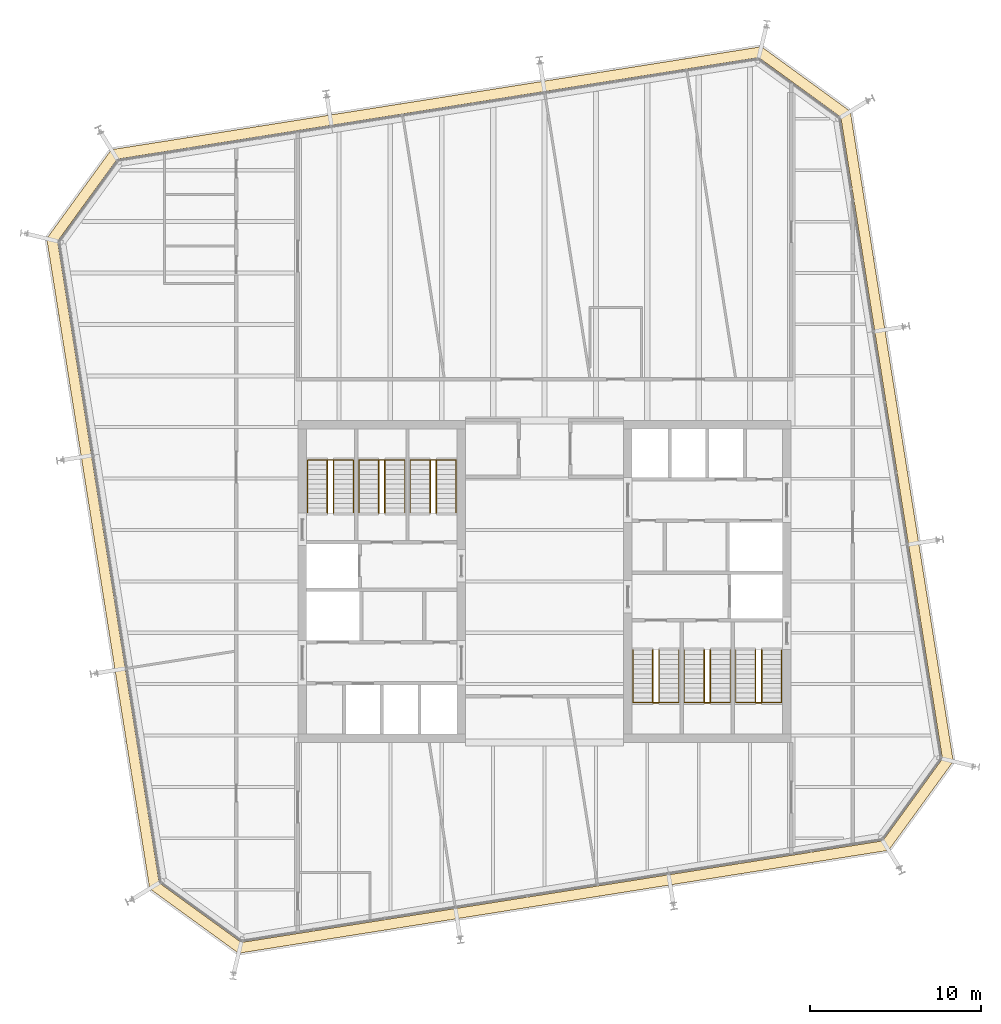
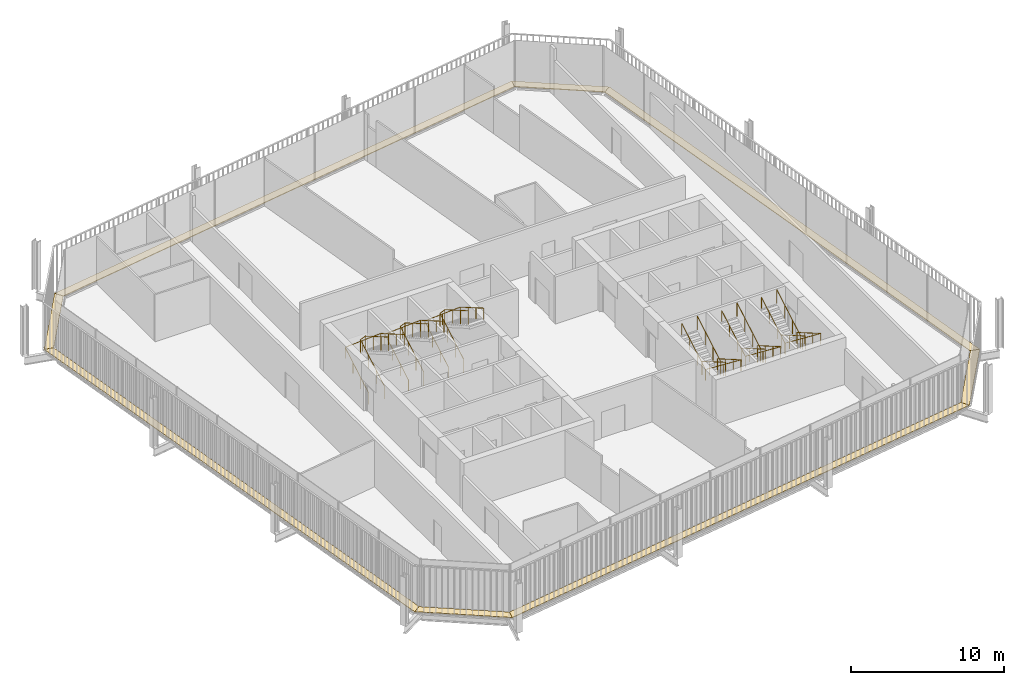
# One storey, part 20 of 20: 12 railings, 8 coverings.
"""IFC4 building model written with IfcOpenShell, lengths in metres."""

from ifc_helpers import new_model, si_unit, direction, frame, origin, origin_2d, place, context, subcontext, project, spatial, polyline, circle, outline, extrude, material, layer, layer_set, type_object, element, save


model = new_model("IFC4")

# Units and contexts
model_context = context("Model", 3, precision=1e-05, world=origin(), true_north=direction((0.0, 1.0)))
body_context = subcontext(model_context, "Body", "Model", "MODEL_VIEW")
ifc_project = project(units=[si_unit("LENGTHUNIT", "METRE"), si_unit("AREAUNIT", "SQUARE_METRE"), si_unit("VOLUMEUNIT", "CUBIC_METRE"), si_unit("PLANEANGLEUNIT", "RADIAN"), si_unit("MASSUNIT", "GRAM", prefix="KILO")], contexts=[model_context])

# Site, building, storey
site_placement = place(None, origin())
site = spatial("IfcSite", under=ifc_project, at=site_placement, CompositionType="ELEMENT")
building_placement = place(site_placement, origin())
building = spatial("IfcBuilding", under=site, at=building_placement, Name="Millrace Tower", CompositionType="ELEMENT")
storey_placement = place(building_placement, frame((0.0, 0.0, 251.300048828125)))
storey = spatial("IfcBuildingStorey", under=building, at=storey_placement, Name="L57", CompositionType="ELEMENT", Elevation=251.300048828125)

# Coverings
ifc_material_1 = material(Name="Steel ASTM A36", Category="steel")
ifc_layer = layer(ifc_material_1, 0.050048828125)
ifc_layer_set = layer_set([ifc_layer], Name="Steel ASTM A36")
covering_type = type_object("IfcCoveringType", Name="CAVITY CATWALK steel grating", PredefinedType="FLOORING", material=ifc_layer_set)
placement = place(storey_placement, frame((0.0, 0.0, 0.099853515625)))
element("IfcCovering", 1, at=placement, inside=storey, type_object=covering_type, Name="Cavity catwalk grating D-F01 L57 1", PredefinedType="FLOORING", context=body_context, shape_type="SweptSolid", body=[
    extrude(outline(polyline([(-23.052490234375, -17.939453125), (-17.85888671875, -21.712890625), (-17.707275390625, -21.081298828125), (-22.49853515625, -17.60009765625), (-23.052490234375, -17.939453125)])), origin(), (0.0, 0.0, 1.0), 0.050048828125),
])
element("IfcCovering", 2, at=placement, inside=storey, type_object=covering_type, Name="Cavity catwalk grating D-F02 L57 1", PredefinedType="FLOORING", context=body_context, shape_type="SweptSolid", body=[
    extrude(outline(polyline([(-17.85888671875, -21.712890625), (20.08935546875, -15.702392578125), (19.750244140625, -15.148681640625), (-17.707275390625, -21.081298828125), (-17.85888671875, -21.712890625)])), origin(), (0.0, 0.0, 1.0), 0.050048828125),
])
element("IfcCovering", 3, at=placement, inside=storey, type_object=covering_type, Name="Cavity catwalk grating D-F03 L57 1", PredefinedType="FLOORING", context=body_context, shape_type="SweptSolid", body=[
    extrude(outline(polyline([(20.08935546875, -15.702392578125), (23.86279296875, -10.5087890625), (23.231201171875, -10.357177734375), (19.750244140625, -15.148681640625), (20.08935546875, -15.702392578125)])), origin(), (0.0, 0.0, 1.0), 0.050048828125),
])
element("IfcCovering", 4, at=placement, inside=storey, type_object=covering_type, Name="Cavity catwalk grating D-F04 L57 1", PredefinedType="FLOORING", context=body_context, shape_type="SweptSolid", body=[
    extrude(outline(polyline([(23.86279296875, -10.5087890625), (17.852294921875, 27.439453125), (17.298583984375, 27.10009765625), (23.231201171875, -10.357177734375), (23.86279296875, -10.5087890625)])), origin(), (0.0, 0.0, 1.0), 0.050048828125),
])
element("IfcCovering", 5, at=placement, inside=storey, type_object=covering_type, Name="Cavity catwalk grating D-F05 L57 1", PredefinedType="FLOORING", context=body_context, shape_type="SweptSolid", body=[
    extrude(outline(polyline([(17.852294921875, 27.439453125), (12.658935546875, 31.212890625), (12.50732421875, 30.581298828125), (17.298583984375, 27.10009765625), (17.852294921875, 27.439453125)])), origin(), (0.0, 0.0, 1.0), 0.050048828125),
])
element("IfcCovering", 6, at=placement, inside=storey, type_object=covering_type, Name="Cavity catwalk grating D-F06 L57 1", PredefinedType="FLOORING", context=body_context, shape_type="SweptSolid", body=[
    extrude(outline(polyline([(12.658935546875, 31.212890625), (-25.28955078125, 25.202392578125), (-24.9501953125, 24.648681640625), (12.50732421875, 30.581298828125), (12.658935546875, 31.212890625)])), origin(), (0.0, 0.0, 1.0), 0.050048828125),
])
element("IfcCovering", 7, at=placement, inside=storey, type_object=covering_type, Name="Cavity catwalk grating D-F07 L57 1", PredefinedType="FLOORING", context=body_context, shape_type="SweptSolid", body=[
    extrude(outline(polyline([(-25.28955078125, 25.202392578125), (-29.062744140625, 20.0087890625), (-28.431396484375, 19.857177734375), (-24.9501953125, 24.648681640625), (-25.28955078125, 25.202392578125)])), origin(), (0.0, 0.0, 1.0), 0.050048828125),
])
element("IfcCovering", 8, at=placement, inside=storey, type_object=covering_type, Name="Cavity catwalk grating D-F08 L57 1", PredefinedType="FLOORING", context=body_context, shape_type="SweptSolid", body=[
    extrude(outline(polyline([(-29.062744140625, 20.0087890625), (-23.052490234375, -17.939453125), (-22.49853515625, -17.60009765625), (-28.431396484375, 19.857177734375), (-29.062744140625, 20.0087890625)])), origin(), (0.0, 0.0, 1.0), 0.050048828125),
])

# Railings
ifc_material_2 = material(Name="Stainless steel ASTM A240 type 316", Category="steel")
railing_type_1 = type_object("IfcRailingType", Name="Stair guard 1100", PredefinedType="GUARDRAIL", material=ifc_material_2)
for number, where, name in (
    (9, (-12.679931640625, 4.0, 0.162353515625), "Stair guard 1 W L57"),
    (10, (-9.679931640625, 4.0, 0.162353515625), "Stair guard 2 W L57"),
    (11, (-6.679931640625, 4.0, 0.162353515625), "Stair guard 3 W L57"),
):
    element("IfcRailing", number, at=place(storey_placement, frame(where)), inside=storey, type_object=railing_type_1, Name=name, PredefinedType="GUARDRAIL", context=body_context, shape_type="SweptSolid", body=[
        extrude(circle(Radius=0.02392578125, at=origin_2d()), frame((0.0, 0.0, 1.076171875), z_axis=(0.0, 0.864890721111, 0.501960198159), x_axis=(-1.0, 0.0, 0.0)), (0.0, 0.0, 1.0), 3.561279296875),
        extrude(circle(Radius=0.02392578125, at=origin_2d()), frame((0.0, 3.080078125, 2.86376953125), z_axis=(0.911295775139, 0.0, 0.411752365158), x_axis=(0.0, 1.0, 0.0)), (0.0, 0.0, 1.0), 0.394775390625),
        extrude(circle(Radius=0.02392578125, at=origin_2d()), frame((0.35986328125, 3.080078125, 3.0263671875), z_axis=(0.0, -0.864920483161, 0.501908913857), x_axis=(1.0, 0.0, 0.0)), (0.0, 0.0, 1.0), 3.56103515625),
        extrude(circle(Radius=0.02099609375, at=origin_2d()), origin(), (0.0, 0.0, 1.0), 1.052001953125),
        extrude(circle(Radius=0.02099609375, at=origin_2d()), frame((0.0, 1.026611328125, 0.595947265625)), (0.0, 0.0, 1.0), 1.052001953125),
        extrude(circle(Radius=0.02099609375, at=origin_2d()), frame((0.0, 2.053466796875, 1.191650390625)), (0.0, 0.0, 1.0), 1.052001953125),
        extrude(circle(Radius=0.02099609375, at=origin_2d()), frame((0.0, 3.080078125, 1.78759765625)), (0.0, 0.0, 1.0), 1.052001953125),
        extrude(circle(Radius=0.02099609375, at=origin_2d()), frame((0.35986328125, 3.080078125, 1.9501953125)), (0.0, 0.0, 1.0), 1.052001953125),
        extrude(circle(Radius=0.02099609375, at=origin_2d()), frame((0.35986328125, 2.053466796875, 2.5458984375)), (0.0, 0.0, 1.0), 1.052001953125),
        extrude(circle(Radius=0.02099609375, at=origin_2d()), frame((0.35986328125, 1.026611328125, 3.141845703125)), (0.0, 0.0, 1.0), 1.052001953125),
        extrude(circle(Radius=0.02099609375, at=origin_2d()), frame((0.35986328125, 0.0, 3.737548828125)), (0.0, 0.0, 1.0), 1.052001953125),
    ])
for number, where, name in (
    (12, (12.679931640625, -4.0, 0.162353515625), "Stair guard 1 E L57"),
    (13, (9.679931640625, -4.0, 0.162353515625), "Stair guard 2 E L57"),
    (14, (6.679931640625, -4.0, 0.162353515625), "Stair guard 3 E L57"),
):
    element("IfcRailing", number, at=place(storey_placement, frame(where)), inside=storey, type_object=railing_type_1, Name=name, PredefinedType="GUARDRAIL", context=body_context, shape_type="SweptSolid", body=[
        extrude(circle(Radius=0.02392578125, at=origin_2d()), frame((0.0, 0.0, 1.076171875), z_axis=(0.0, -0.864890721111, 0.501960198159), x_axis=(1.0, 0.0, 0.0)), (0.0, 0.0, 1.0), 3.561279296875),
        extrude(circle(Radius=0.02392578125, at=origin_2d()), frame((0.0, -3.080078125, 2.86376953125), z_axis=(-0.911295775139, 0.0, 0.411752365158), x_axis=(0.0, -1.0, 0.0)), (0.0, 0.0, 1.0), 0.394775390625),
        extrude(circle(Radius=0.02392578125, at=origin_2d()), frame((-0.35986328125, -3.080078125, 3.0263671875), z_axis=(0.0, 0.864920483161, 0.501908913857), x_axis=(-1.0, 0.0, 0.0)), (0.0, 0.0, 1.0), 3.56103515625),
        extrude(circle(Radius=0.02099609375, at=origin_2d()), origin(), (0.0, 0.0, 1.0), 1.052001953125),
        extrude(circle(Radius=0.02099609375, at=origin_2d()), frame((0.0, -1.026611328125, 0.595947265625)), (0.0, 0.0, 1.0), 1.052001953125),
        extrude(circle(Radius=0.02099609375, at=origin_2d()), frame((0.0, -2.053466796875, 1.191650390625)), (0.0, 0.0, 1.0), 1.052001953125),
        extrude(circle(Radius=0.02099609375, at=origin_2d()), frame((0.0, -3.080078125, 1.78759765625)), (0.0, 0.0, 1.0), 1.052001953125),
        extrude(circle(Radius=0.02099609375, at=origin_2d()), frame((-0.35986328125, -3.080078125, 1.9501953125)), (0.0, 0.0, 1.0), 1.052001953125),
        extrude(circle(Radius=0.02099609375, at=origin_2d()), frame((-0.35986328125, -2.053466796875, 2.5458984375)), (0.0, 0.0, 1.0), 1.052001953125),
        extrude(circle(Radius=0.02099609375, at=origin_2d()), frame((-0.35986328125, -1.026611328125, 3.141845703125)), (0.0, 0.0, 1.0), 1.052001953125),
        extrude(circle(Radius=0.02099609375, at=origin_2d()), frame((-0.35986328125, 0.0, 3.737548828125)), (0.0, 0.0, 1.0), 1.052001953125),
    ])
ifc_material_3 = material(Name="Stainless steel ASTM A240 type 316", Category="steel")
railing_type_2 = type_object("IfcRailingType", Name="Stair handrail 900", PredefinedType="HANDRAIL", material=ifc_material_3)
railing_1_placement = place(storey_placement, frame((-13.840087890625, 4.0, 0.162353515625)))
element("IfcRailing", 15, at=railing_1_placement, inside=storey, type_object=railing_type_2, Name="Stair handrail 1 W L57", PredefinedType="HANDRAIL", context=body_context, shape_type="SweptSolid", body=[
    extrude(circle(Radius=0.02392578125, at=origin_2d()), frame((0.0, 0.0, 0.8759765625), z_axis=(0.0, 0.864890721111, 0.501960198159), x_axis=(-1.0, 0.0, 0.0)), (0.0, 0.0, 1.0), 3.561279296875),
    extrude(circle(Radius=0.02392578125, at=origin_2d()), frame((0.0, 3.080078125, 2.66357421875), z_axis=(0.998164834547, 0.0, 0.060555454528), x_axis=(0.0, 1.0, 0.0)), (0.0, 0.0, 1.0), 2.68505859375),
    extrude(circle(Radius=0.02392578125, at=origin_2d()), frame((2.68017578125, 3.080078125, 2.826171875), z_axis=(0.0, -0.864920483161, 0.501908913857), x_axis=(1.0, 0.0, 0.0)), (0.0, 0.0, 1.0), 3.56103515625),
    extrude(circle(Radius=0.02099609375, at=origin_2d()), origin(), (0.0, 0.0, 1.0), 0.851806640625),
    extrude(circle(Radius=0.02099609375, at=origin_2d()), frame((0.0, 1.026611328125, 0.595947265625)), (0.0, 0.0, 1.0), 0.851806640625),
    extrude(circle(Radius=0.02099609375, at=origin_2d()), frame((0.0, 2.053466796875, 1.191650390625)), (0.0, 0.0, 1.0), 0.851806640625),
    extrude(circle(Radius=0.02099609375, at=origin_2d()), frame((0.0, 3.080078125, 1.78759765625)), (0.0, 0.0, 1.0), 0.851806640625),
    extrude(circle(Radius=0.02099609375, at=origin_2d()), frame((1.340087890625, 3.080078125, 1.868896484375)), (0.0, 0.0, 1.0), 0.851806640625),
    extrude(circle(Radius=0.02099609375, at=origin_2d()), frame((2.68017578125, 3.080078125, 1.9501953125)), (0.0, 0.0, 1.0), 0.851806640625),
    extrude(circle(Radius=0.02099609375, at=origin_2d()), frame((2.68017578125, 2.053466796875, 2.5458984375)), (0.0, 0.0, 1.0), 0.851806640625),
    extrude(circle(Radius=0.02099609375, at=origin_2d()), frame((2.68017578125, 1.026611328125, 3.141845703125)), (0.0, 0.0, 1.0), 0.851806640625),
    extrude(circle(Radius=0.02099609375, at=origin_2d()), frame((2.68017578125, 0.0, 3.737548828125)), (0.0, 0.0, 1.0), 0.851806640625),
])
railing_2_placement = place(storey_placement, frame((-10.840087890625, 4.0, 0.162353515625)))
element("IfcRailing", 16, at=railing_2_placement, inside=storey, type_object=railing_type_2, Name="Stair handrail 2 W L57", PredefinedType="HANDRAIL", context=body_context, shape_type="SweptSolid", body=[
    extrude(circle(Radius=0.02392578125, at=origin_2d()), frame((0.0, 0.0, 0.8759765625), z_axis=(0.0, 0.864890721111, 0.501960198159), x_axis=(-1.0, 0.0, 0.0)), (0.0, 0.0, 1.0), 3.561279296875),
    extrude(circle(Radius=0.02392578125, at=origin_2d()), frame((0.0, 3.080078125, 2.66357421875), z_axis=(0.998164834547, 0.0, 0.060555454528), x_axis=(0.0, 1.0, 0.0)), (0.0, 0.0, 1.0), 2.68505859375),
    extrude(circle(Radius=0.02392578125, at=origin_2d()), frame((2.68017578125, 3.080078125, 2.826171875), z_axis=(0.0, -0.864920483161, 0.501908913857), x_axis=(1.0, 0.0, 0.0)), (0.0, 0.0, 1.0), 3.56103515625),
    extrude(circle(Radius=0.02099609375, at=origin_2d()), origin(), (0.0, 0.0, 1.0), 0.851806640625),
    extrude(circle(Radius=0.02099609375, at=origin_2d()), frame((0.0, 1.026611328125, 0.595947265625)), (0.0, 0.0, 1.0), 0.851806640625),
    extrude(circle(Radius=0.02099609375, at=origin_2d()), frame((0.0, 2.053466796875, 1.191650390625)), (0.0, 0.0, 1.0), 0.851806640625),
    extrude(circle(Radius=0.02099609375, at=origin_2d()), frame((0.0, 3.080078125, 1.78759765625)), (0.0, 0.0, 1.0), 0.851806640625),
    extrude(circle(Radius=0.02099609375, at=origin_2d()), frame((1.340087890625, 3.080078125, 1.868896484375)), (0.0, 0.0, 1.0), 0.851806640625),
    extrude(circle(Radius=0.02099609375, at=origin_2d()), frame((2.68017578125, 3.080078125, 1.9501953125)), (0.0, 0.0, 1.0), 0.851806640625),
    extrude(circle(Radius=0.02099609375, at=origin_2d()), frame((2.68017578125, 2.053466796875, 2.5458984375)), (0.0, 0.0, 1.0), 0.851806640625),
    extrude(circle(Radius=0.02099609375, at=origin_2d()), frame((2.68017578125, 1.026611328125, 3.141845703125)), (0.0, 0.0, 1.0), 0.851806640625),
    extrude(circle(Radius=0.02099609375, at=origin_2d()), frame((2.68017578125, 0.0, 3.737548828125)), (0.0, 0.0, 1.0), 0.851806640625),
])
railing_3_placement = place(storey_placement, frame((-7.840087890625, 4.0, 0.162353515625)))
element("IfcRailing", 17, at=railing_3_placement, inside=storey, type_object=railing_type_2, Name="Stair handrail 3 W L57", PredefinedType="HANDRAIL", context=body_context, shape_type="SweptSolid", body=[
    extrude(circle(Radius=0.02392578125, at=origin_2d()), frame((0.0, 0.0, 0.8759765625), z_axis=(0.0, 0.864890721111, 0.501960198159), x_axis=(-1.0, 0.0, 0.0)), (0.0, 0.0, 1.0), 3.561279296875),
    extrude(circle(Radius=0.02392578125, at=origin_2d()), frame((0.0, 3.080078125, 2.66357421875), z_axis=(0.998164834547, 0.0, 0.060555454528), x_axis=(0.0, 1.0, 0.0)), (0.0, 0.0, 1.0), 2.68505859375),
    extrude(circle(Radius=0.02392578125, at=origin_2d()), frame((2.68017578125, 3.080078125, 2.826171875), z_axis=(0.0, -0.864920483161, 0.501908913857), x_axis=(1.0, 0.0, 0.0)), (0.0, 0.0, 1.0), 3.56103515625),
    extrude(circle(Radius=0.02099609375, at=origin_2d()), origin(), (0.0, 0.0, 1.0), 0.851806640625),
    extrude(circle(Radius=0.02099609375, at=origin_2d()), frame((0.0, 1.026611328125, 0.595947265625)), (0.0, 0.0, 1.0), 0.851806640625),
    extrude(circle(Radius=0.02099609375, at=origin_2d()), frame((0.0, 2.053466796875, 1.191650390625)), (0.0, 0.0, 1.0), 0.851806640625),
    extrude(circle(Radius=0.02099609375, at=origin_2d()), frame((0.0, 3.080078125, 1.78759765625)), (0.0, 0.0, 1.0), 0.851806640625),
    extrude(circle(Radius=0.02099609375, at=origin_2d()), frame((1.340087890625, 3.080078125, 1.868896484375)), (0.0, 0.0, 1.0), 0.851806640625),
    extrude(circle(Radius=0.02099609375, at=origin_2d()), frame((2.68017578125, 3.080078125, 1.9501953125)), (0.0, 0.0, 1.0), 0.851806640625),
    extrude(circle(Radius=0.02099609375, at=origin_2d()), frame((2.68017578125, 2.053466796875, 2.5458984375)), (0.0, 0.0, 1.0), 0.851806640625),
    extrude(circle(Radius=0.02099609375, at=origin_2d()), frame((2.68017578125, 1.026611328125, 3.141845703125)), (0.0, 0.0, 1.0), 0.851806640625),
    extrude(circle(Radius=0.02099609375, at=origin_2d()), frame((2.68017578125, 0.0, 3.737548828125)), (0.0, 0.0, 1.0), 0.851806640625),
])
railing_4_placement = place(storey_placement, frame((13.840087890625, -4.0, 0.162353515625)))
element("IfcRailing", 18, at=railing_4_placement, inside=storey, type_object=railing_type_2, Name="Stair handrail 1 E L57", PredefinedType="HANDRAIL", context=body_context, shape_type="SweptSolid", body=[
    extrude(circle(Radius=0.02392578125, at=origin_2d()), frame((0.0, 0.0, 0.8759765625), z_axis=(0.0, -0.864890721111, 0.501960198159), x_axis=(1.0, 0.0, 0.0)), (0.0, 0.0, 1.0), 3.561279296875),
    extrude(circle(Radius=0.02392578125, at=origin_2d()), frame((0.0, -3.080078125, 2.66357421875), z_axis=(-0.998164834547, 0.0, 0.060555454528), x_axis=(0.0, -1.0, 0.0)), (0.0, 0.0, 1.0), 2.68505859375),
    extrude(circle(Radius=0.02392578125, at=origin_2d()), frame((-2.68017578125, -3.080078125, 2.826171875), z_axis=(0.0, 0.864920483161, 0.501908913857), x_axis=(-1.0, 0.0, 0.0)), (0.0, 0.0, 1.0), 3.56103515625),
    extrude(circle(Radius=0.02099609375, at=origin_2d()), origin(), (0.0, 0.0, 1.0), 0.851806640625),
    extrude(circle(Radius=0.02099609375, at=origin_2d()), frame((0.0, -1.026611328125, 0.595947265625)), (0.0, 0.0, 1.0), 0.851806640625),
    extrude(circle(Radius=0.02099609375, at=origin_2d()), frame((0.0, -2.053466796875, 1.191650390625)), (0.0, 0.0, 1.0), 0.851806640625),
    extrude(circle(Radius=0.02099609375, at=origin_2d()), frame((0.0, -3.080078125, 1.78759765625)), (0.0, 0.0, 1.0), 0.851806640625),
    extrude(circle(Radius=0.02099609375, at=origin_2d()), frame((-1.340087890625, -3.080078125, 1.868896484375)), (0.0, 0.0, 1.0), 0.851806640625),
    extrude(circle(Radius=0.02099609375, at=origin_2d()), frame((-2.68017578125, -3.080078125, 1.9501953125)), (0.0, 0.0, 1.0), 0.851806640625),
    extrude(circle(Radius=0.02099609375, at=origin_2d()), frame((-2.68017578125, -2.053466796875, 2.5458984375)), (0.0, 0.0, 1.0), 0.851806640625),
    extrude(circle(Radius=0.02099609375, at=origin_2d()), frame((-2.68017578125, -1.026611328125, 3.141845703125)), (0.0, 0.0, 1.0), 0.851806640625),
    extrude(circle(Radius=0.02099609375, at=origin_2d()), frame((-2.68017578125, 0.0, 3.737548828125)), (0.0, 0.0, 1.0), 0.851806640625),
])
railing_5_placement = place(storey_placement, frame((10.840087890625, -4.0, 0.162353515625)))
element("IfcRailing", 19, at=railing_5_placement, inside=storey, type_object=railing_type_2, Name="Stair handrail 2 E L57", PredefinedType="HANDRAIL", context=body_context, shape_type="SweptSolid", body=[
    extrude(circle(Radius=0.02392578125, at=origin_2d()), frame((0.0, 0.0, 0.8759765625), z_axis=(0.0, -0.864890721111, 0.501960198159), x_axis=(1.0, 0.0, 0.0)), (0.0, 0.0, 1.0), 3.561279296875),
    extrude(circle(Radius=0.02392578125, at=origin_2d()), frame((0.0, -3.080078125, 2.66357421875), z_axis=(-0.998164834547, 0.0, 0.060555454528), x_axis=(0.0, -1.0, 0.0)), (0.0, 0.0, 1.0), 2.68505859375),
    extrude(circle(Radius=0.02392578125, at=origin_2d()), frame((-2.68017578125, -3.080078125, 2.826171875), z_axis=(0.0, 0.864920483161, 0.501908913857), x_axis=(-1.0, 0.0, 0.0)), (0.0, 0.0, 1.0), 3.56103515625),
    extrude(circle(Radius=0.02099609375, at=origin_2d()), origin(), (0.0, 0.0, 1.0), 0.851806640625),
    extrude(circle(Radius=0.02099609375, at=origin_2d()), frame((0.0, -1.026611328125, 0.595947265625)), (0.0, 0.0, 1.0), 0.851806640625),
    extrude(circle(Radius=0.02099609375, at=origin_2d()), frame((0.0, -2.053466796875, 1.191650390625)), (0.0, 0.0, 1.0), 0.851806640625),
    extrude(circle(Radius=0.02099609375, at=origin_2d()), frame((0.0, -3.080078125, 1.78759765625)), (0.0, 0.0, 1.0), 0.851806640625),
    extrude(circle(Radius=0.02099609375, at=origin_2d()), frame((-1.340087890625, -3.080078125, 1.868896484375)), (0.0, 0.0, 1.0), 0.851806640625),
    extrude(circle(Radius=0.02099609375, at=origin_2d()), frame((-2.68017578125, -3.080078125, 1.9501953125)), (0.0, 0.0, 1.0), 0.851806640625),
    extrude(circle(Radius=0.02099609375, at=origin_2d()), frame((-2.68017578125, -2.053466796875, 2.5458984375)), (0.0, 0.0, 1.0), 0.851806640625),
    extrude(circle(Radius=0.02099609375, at=origin_2d()), frame((-2.68017578125, -1.026611328125, 3.141845703125)), (0.0, 0.0, 1.0), 0.851806640625),
    extrude(circle(Radius=0.02099609375, at=origin_2d()), frame((-2.68017578125, 0.0, 3.737548828125)), (0.0, 0.0, 1.0), 0.851806640625),
])
railing_6_placement = place(storey_placement, frame((7.840087890625, -4.0, 0.162353515625)))
element("IfcRailing", 20, at=railing_6_placement, inside=storey, type_object=railing_type_2, Name="Stair handrail 3 E L57", PredefinedType="HANDRAIL", context=body_context, shape_type="SweptSolid", body=[
    extrude(circle(Radius=0.02392578125, at=origin_2d()), frame((0.0, 0.0, 0.8759765625), z_axis=(0.0, -0.864890721111, 0.501960198159), x_axis=(1.0, 0.0, 0.0)), (0.0, 0.0, 1.0), 3.561279296875),
    extrude(circle(Radius=0.02392578125, at=origin_2d()), frame((0.0, -3.080078125, 2.66357421875), z_axis=(-0.998164834547, 0.0, 0.060555454528), x_axis=(0.0, -1.0, 0.0)), (0.0, 0.0, 1.0), 2.68505859375),
    extrude(circle(Radius=0.02392578125, at=origin_2d()), frame((-2.68017578125, -3.080078125, 2.826171875), z_axis=(0.0, 0.864920483161, 0.501908913857), x_axis=(-1.0, 0.0, 0.0)), (0.0, 0.0, 1.0), 3.56103515625),
    extrude(circle(Radius=0.02099609375, at=origin_2d()), origin(), (0.0, 0.0, 1.0), 0.851806640625),
    extrude(circle(Radius=0.02099609375, at=origin_2d()), frame((0.0, -1.026611328125, 0.595947265625)), (0.0, 0.0, 1.0), 0.851806640625),
    extrude(circle(Radius=0.02099609375, at=origin_2d()), frame((0.0, -2.053466796875, 1.191650390625)), (0.0, 0.0, 1.0), 0.851806640625),
    extrude(circle(Radius=0.02099609375, at=origin_2d()), frame((0.0, -3.080078125, 1.78759765625)), (0.0, 0.0, 1.0), 0.851806640625),
    extrude(circle(Radius=0.02099609375, at=origin_2d()), frame((-1.340087890625, -3.080078125, 1.868896484375)), (0.0, 0.0, 1.0), 0.851806640625),
    extrude(circle(Radius=0.02099609375, at=origin_2d()), frame((-2.68017578125, -3.080078125, 1.9501953125)), (0.0, 0.0, 1.0), 0.851806640625),
    extrude(circle(Radius=0.02099609375, at=origin_2d()), frame((-2.68017578125, -2.053466796875, 2.5458984375)), (0.0, 0.0, 1.0), 0.851806640625),
    extrude(circle(Radius=0.02099609375, at=origin_2d()), frame((-2.68017578125, -1.026611328125, 3.141845703125)), (0.0, 0.0, 1.0), 0.851806640625),
    extrude(circle(Radius=0.02099609375, at=origin_2d()), frame((-2.68017578125, 0.0, 3.737548828125)), (0.0, 0.0, 1.0), 0.851806640625),
])

save(model, "model.ifc")
